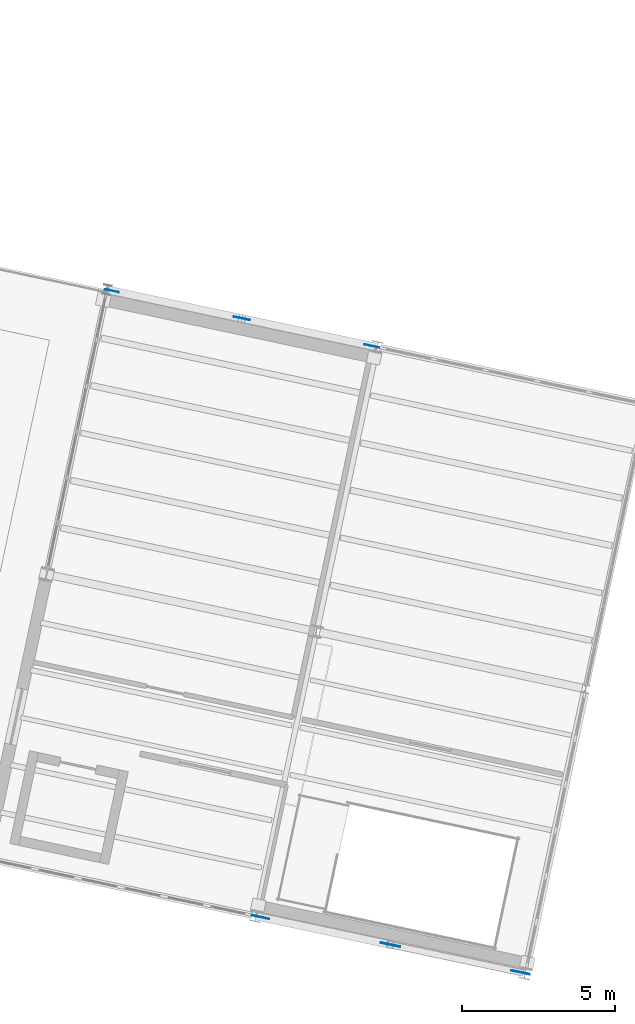
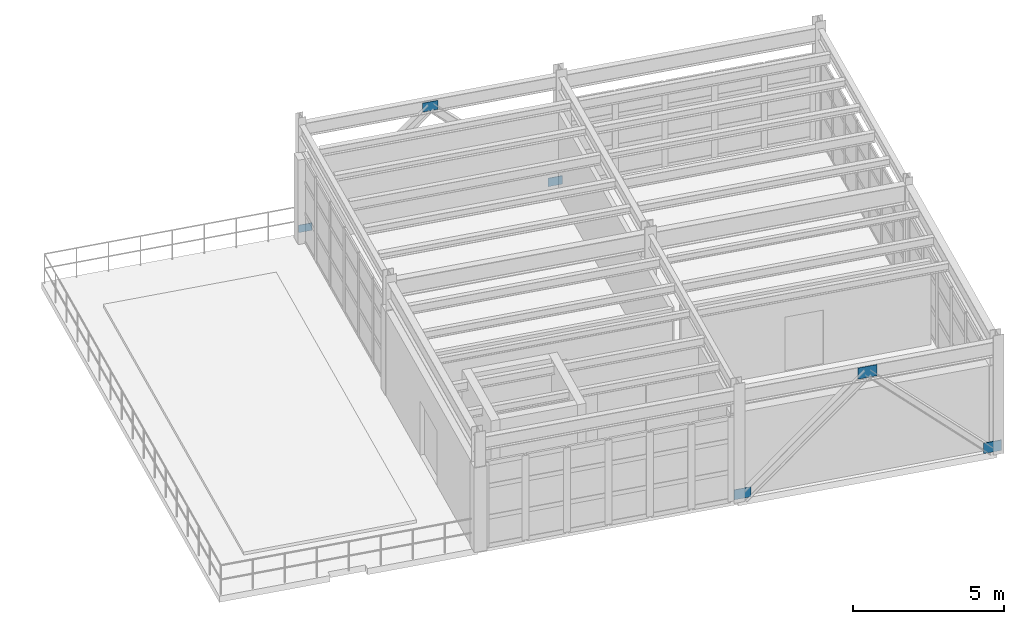
# One storey, part 87 of 109: 6 plates.
"""IFC4 building model written with IfcOpenShell, lengths in metres."""

import ifcopenshell
import ifcopenshell.guid

model = None  # the IFC model being written
_history = None  # IfcOwnerHistory: only IFC2X3 demands one
_inside = {}  # id of a spatial element -> (the spatial element, [elements in it])
_under = {}  # id of a project, library or spatial element -> (it, [spatial elements below it])
_declared = {}  # id of a project -> (the project, [libraries it declares])
_typed = {}  # id of a type object -> (the type object, [elements of that type])
_made_of = {}  # id of a material, layer set ... -> (it, [elements and type objects made of it])


def new_model(schema):
    """Start an empty IFC model of exactly this schema.

    Asked for "IFC4X3", IfcOpenShell would pick the latest addendum, in which some entities
    have other attributes; the version numbers below select the first issue.
    IFC2X3 requires an IfcOwnerHistory on every rooted entity: one is made here for all.
    """
    global model, _history
    if schema == "IFC4X3":
        model = ifcopenshell.file(schema_version=(4, 3, 0, 0))
    else:
        model = ifcopenshell.file(schema=schema)
    _inside.clear()
    _under.clear()
    _declared.clear()
    _typed.clear()
    _made_of.clear()
    _history = None
    if model.schema == "IFC2X3":
        org = make("IfcOrganization", Name="unknown")
        user = make(
            "IfcPersonAndOrganization",
            ThePerson=make("IfcPerson", FamilyName="unknown"),
            TheOrganization=org,
        )
        app = make(
            "IfcApplication",
            ApplicationDeveloper=org,
            Version="unknown",
            ApplicationFullName="unknown",
            ApplicationIdentifier="unknown",
        )
        _history = make(
            "IfcOwnerHistory",
            OwningUser=user,
            OwningApplication=app,
            ChangeAction="ADDED",
            CreationDate=0,
        )
    return model


def make(cls, **values):
    """One entity of the class cls with the attributes given. An attribute that is None is left unset."""
    return model.create_entity(
        cls, **{name: value for name, value in values.items() if value is not None}
    )


def rooted(cls, **values):
    """An entity with a GlobalId (a new one), such as an element, a storey or a relation."""
    return make(cls, GlobalId=ifcopenshell.guid.new(), OwnerHistory=_history, **values)


def si_unit(unit_type, name, prefix=None):
    """IfcSIUnit, for example si_unit("LENGTHUNIT", "METRE", prefix="MILLI")."""
    return make("IfcSIUnit", UnitType=unit_type, Prefix=prefix, Name=name)


def assignment(units):
    """IfcUnitAssignment: the units of a project."""
    return None if units is None else make("IfcUnitAssignment", Units=units)


def point(xyz):
    """IfcCartesianPoint."""
    return None if xyz is None else make("IfcCartesianPoint", Coordinates=xyz)


def direction(xyz):
    """IfcDirection."""
    return None if xyz is None else make("IfcDirection", DirectionRatios=xyz)


def frame(location, z_axis=None, x_axis=None):
    """IfcAxis2Placement3D, a coordinate frame: its origin and axes. An axis left out is left unset."""
    return make(
        "IfcAxis2Placement3D",
        Location=point(location),
        Axis=direction(z_axis),
        RefDirection=direction(x_axis),
    )


def frame_2d(location, x_axis=None):
    """IfcAxis2Placement2D, a coordinate frame in the plane: its origin and x axis."""
    return make(
        "IfcAxis2Placement2D", Location=point(location), RefDirection=direction(x_axis)
    )


def origin():
    """The frame at (0, 0, 0) with its axes left unset."""
    return frame((0.0, 0.0, 0.0))


def origin_2d():
    """The frame at (0, 0) in the plane with its x axis left unset."""
    return frame_2d((0.0, 0.0))


def place(relative_to, where):
    """IfcLocalPlacement: puts the frame where relative to a parent placement (None: the world)."""
    return make(
        "IfcLocalPlacement", PlacementRelTo=relative_to, RelativePlacement=where
    )


def context(
    kind, dimensions, precision=None, world=None, true_north=None, identifier=None
):
    """IfcGeometricRepresentationContext, for example the 3D "Model" context."""
    return make(
        "IfcGeometricRepresentationContext",
        ContextIdentifier=identifier,
        ContextType=kind,
        CoordinateSpaceDimension=dimensions,
        Precision=precision,
        WorldCoordinateSystem=world,
        TrueNorth=true_north,
    )


def subcontext(parent, identifier, kind, view, scale=None):
    """IfcGeometricRepresentationSubContext, for example "Body" below "Model"."""
    return make(
        "IfcGeometricRepresentationSubContext",
        ContextIdentifier=identifier,
        ContextType=kind,
        ParentContext=parent,
        TargetScale=scale,
        TargetView=view,
    )


def project(units=None, contexts=None):
    """IfcProject with its units and contexts."""
    return rooted(
        "IfcProject",
        Name="project",
        RepresentationContexts=contexts,
        UnitsInContext=assignment(units),
    )


def spatial(cls, under=None, at=None, **own):
    """A site, building, storey or space (cls), placed at a placement, below another one or the project."""
    s = rooted(cls, ObjectPlacement=at, **own)
    if under is not None:
        _under.setdefault(under.id(), (under, []))[1].append(s)
    return s


def profile(cls, at=None, kind="AREA", **sizes):
    """A parametric profile (cls). Its sizes go by their IFC names, for example OverallWidth=200.0."""
    return make(cls, ProfileType=kind, Position=at, **sizes)


def rectangle(**sizes):
    """IfcRectangleProfileDef."""
    return profile("IfcRectangleProfileDef", **sizes)


def extrude(swept, where, along, depth):
    """IfcExtrudedAreaSolid: the profile swept, set in the frame where, extruded along a direction by depth."""
    return make(
        "IfcExtrudedAreaSolid",
        SweptArea=swept,
        Position=where,
        ExtrudedDirection=direction(along),
        Depth=depth,
    )


def shape(context_of_items, identifier, shape_type, items):
    """IfcShapeRepresentation: the items that make up one representation, for example the "Body"."""
    return make(
        "IfcShapeRepresentation",
        ContextOfItems=context_of_items,
        RepresentationIdentifier=identifier,
        RepresentationType=shape_type,
        Items=items,
    )


def material(Name=None, Category=None):
    """IfcMaterial."""
    return make("IfcMaterial", Name=Name, Category=Category)


def layer(
    of_material, thickness, ventilated=None, Name=None, Category=None, Priority=None
):
    """IfcMaterialLayer: one layer of a wall or slab, of a material (None: an air gap)."""
    return make(
        "IfcMaterialLayer",
        Material=of_material,
        LayerThickness=thickness,
        IsVentilated=ventilated,
        Name=Name,
        Category=Category,
        Priority=Priority,
    )


def layer_set(layers, Name=None):
    """IfcMaterialLayerSet."""
    return make("IfcMaterialLayerSet", MaterialLayers=layers, LayerSetName=Name)


def made_of(thing, what):
    """Note that an element or type object is made of a material, layer set ...; save() writes the relation."""
    if what is not None:
        _made_of.setdefault(what.id(), (what, []))[1].append(thing)
    return thing


def type_object(cls, material=None, **own):
    """A type object (cls), such as IfcWallType, which elements share."""
    return made_of(rooted(cls, **own), material)


def element(
    cls,
    number,
    at=None,
    inside=None,
    cuts=None,
    type_object=None,
    material=None,
    context=None,
    identifier="Body",
    shape_type=None,
    held_by="IfcProductDefinitionShape",
    body=None,
    shapes=None,
    **own,
):
    """One element of the class cls, such as IfcWall. Its Tag is "e" and its number.

    at: its placement. inside: the storey or other place that contains it. cuts: it is an
    opening in that element (IfcRelVoidsElement). A single representation is given by context,
    identifier, shape_type and body (its items); several are given by shapes. held_by: the class
    of the entity that holds the representations. save() writes the other relations.
    """
    e = rooted(cls, Tag="e%d" % number, ObjectPlacement=at, **own)
    if body is not None:
        shapes = [shape(context, identifier, shape_type, body)]
    if shapes is not None:
        e.Representation = make(held_by, Representations=shapes)
    if inside is not None:
        _inside.setdefault(inside.id(), (inside, []))[1].append(e)
    if cuts is not None:
        rooted(
            "IfcRelVoidsElement", RelatingBuildingElement=cuts, RelatedOpeningElement=e
        )
    if type_object is not None:
        _typed.setdefault(type_object.id(), (type_object, []))[1].append(e)
    return made_of(e, material)


def aggregate(whole, parts):
    """IfcRelAggregates: a whole, such as a stair, and the parts it consists of."""
    return rooted("IfcRelAggregates", RelatingObject=whole, RelatedObjects=parts)


def save(model, path):
    """Write the relations noted so far, then the file.

    IfcRelAggregates (storeys below a building ...), IfcRelContainedInSpatialStructure (elements
    in a storey), IfcRelDefinesByType, IfcRelAssociatesMaterial and IfcRelDeclares: one each for
    every whole, place, type object, material and project.
    """
    for whole, parts in _under.values():
        aggregate(whole, parts)
    for where, things in _inside.values():
        rooted(
            "IfcRelContainedInSpatialStructure",
            RelatedElements=things,
            RelatingStructure=where,
        )
    for kind, things in _typed.values():
        rooted("IfcRelDefinesByType", RelatedObjects=things, RelatingType=kind)
    for what, things in _made_of.values():
        rooted("IfcRelAssociatesMaterial", RelatedObjects=things, RelatingMaterial=what)
    for by, libraries in _declared.values():
        rooted("IfcRelDeclares", RelatingContext=by, RelatedDefinitions=libraries)
    model.write(path)


model = new_model("IFC4")

# Units and contexts
model_context = context("Model", 3, precision=1e-05, world=origin(), true_north=direction((0.0, 1.0)))
body_context = subcontext(model_context, "Body", "Model", "MODEL_VIEW")
ifc_project = project(units=[si_unit("LENGTHUNIT", "METRE"), si_unit("AREAUNIT", "SQUARE_METRE"), si_unit("VOLUMEUNIT", "CUBIC_METRE"), si_unit("PLANEANGLEUNIT", "RADIAN"), si_unit("MASSUNIT", "GRAM", prefix="KILO")], contexts=[model_context])

# Site, building, storey
site_placement = place(None, origin())
site = spatial("IfcSite", under=ifc_project, at=site_placement, CompositionType="ELEMENT")
building_placement = place(site_placement, origin())
building = spatial("IfcBuilding", under=site, at=building_placement, Name="Vireo Bluff Cable Station", CompositionType="ELEMENT")
storey_placement = place(building_placement, frame((0.0, 0.0, 4.800048828125)))
storey = spatial("IfcBuildingStorey", under=building, at=storey_placement, Name="L01", CompositionType="ELEMENT", Elevation=4.800048828125)

# Plates
ifc_material = material(Name="Steel ASTM A572 Gr. 50", Category="steel")
ifc_layer_1 = layer(ifc_material, 0.01806640625, Name="Steel ASTM A572 Gr. 50")
ifc_layer_set_1 = layer_set([ifc_layer_1], Name="Steel ASTM A572 Gr. 50")
plate_type_1 = type_object("IfcPlateType", Name="GUSSET-460X300X18", PredefinedType="USERDEFINED", material=ifc_layer_set_1)
plate_1_placement = place(storey_placement, frame((142.91015625, 26.680419921875, 0.06982421875), z_axis=(0.0, 0.0, 1.0), x_axis=(0.978147600734, -0.207911690818, 0.0)))
element("IfcPlate", 1, at=plate_1_placement, inside=storey, type_object=plate_type_1, Name="V5E L01 brace base gusset plate 281", ObjectType="GUSSET PLATE", PredefinedType="USERDEFINED", context=body_context, shape_type="SweptSolid", body=[
    extrude(rectangle(XDim=0.4599609375, YDim=0.01806640625, at=origin_2d()), origin(), (0.0, 0.0, 1.0), 0.300048828125),
])
ifc_layer_2 = layer(ifc_material, 0.02001953125, Name="Steel ASTM A572 Gr. 50")
ifc_layer_set_2 = layer_set([ifc_layer_2], Name="Steel ASTM A572 Gr. 50")
plate_type_2 = type_object("IfcPlateType", Name="GUSSET-500X340X20", PredefinedType="USERDEFINED", material=ifc_layer_set_2)
plate_2_placement = place(storey_placement, frame((151.400390625, 24.875732421875, 0.0498046875), z_axis=(0.0, 0.0, 1.0), x_axis=(0.978147600734, -0.207911690818, 0.0)))
element("IfcPlate", 2, at=plate_2_placement, inside=storey, type_object=plate_type_2, Name="V5E L01 brace base gusset plate 282", ObjectType="GUSSET PLATE", PredefinedType="USERDEFINED", context=body_context, shape_type="SweptSolid", body=[
    extrude(rectangle(XDim=0.5, YDim=0.02001953125, at=origin_2d()), origin(), (0.0, 0.0, 1.0), 0.340087890625),
])
ifc_layer_3 = layer(ifc_material, 0.02197265625, Name="Steel ASTM A572 Gr. 50")
ifc_layer_set_3 = layer_set([ifc_layer_3], Name="Steel ASTM A572 Gr. 50")
plate_type_3 = type_object("IfcPlateType", Name="GUSSET-540X360X22", PredefinedType="USERDEFINED", material=ifc_layer_set_3)
plate_3_placement = place(storey_placement, frame((147.1552734375, 25.778076171875, 4.0), z_axis=(0.0, 0.0, 1.0), x_axis=(0.978147600734, -0.207911690818, 0.0)))
element("IfcPlate", 3, at=plate_3_placement, inside=storey, type_object=plate_type_3, Name="V5E L01 chevron gusset plate 283", ObjectType="GUSSET PLATE", PredefinedType="USERDEFINED", context=body_context, shape_type="SweptSolid", body=[
    extrude(rectangle(XDim=0.5400390625, YDim=0.02197265625, at=origin_2d()), origin(), (0.0, 0.0, 1.0), 0.360107421875),
])
ifc_layer_4 = layer(ifc_material, 0.02392578125, Name="Steel ASTM A572 Gr. 50")
ifc_layer_set_4 = layer_set([ifc_layer_4], Name="Steel ASTM A572 Gr. 50")
plate_type_4 = type_object("IfcPlateType", Name="GUSSET-580X400X24", PredefinedType="USERDEFINED", material=ifc_layer_set_4)
plate_4_placement = place(storey_placement, frame((147.76318359375, 6.224365234375, 0.02001953125), z_axis=(0.0, 0.0, 1.0), x_axis=(0.978147600734, -0.207911690818, 0.0)))
element("IfcPlate", 4, at=plate_4_placement, inside=storey, type_object=plate_type_4, Name="V5E L01 brace base gusset plate 284", ObjectType="GUSSET PLATE", PredefinedType="USERDEFINED", context=body_context, shape_type="SweptSolid", body=[
    extrude(rectangle(XDim=0.580078125, YDim=0.02392578125, at=origin_2d()), origin(), (0.0, 0.0, 1.0), 0.39990234375),
])
ifc_layer_5 = layer(ifc_material, 0.02490234375, Name="Steel ASTM A572 Gr. 50")
ifc_layer_set_5 = layer_set([ifc_layer_5], Name="Steel ASTM A572 Gr. 50")
plate_type_5 = type_object("IfcPlateType", Name="GUSSET-620X420X25", PredefinedType="USERDEFINED", material=ifc_layer_set_5)
plate_5_placement = place(storey_placement, frame((156.25341796875, 4.419677734375, 0.010009765625), z_axis=(0.0, 0.0, 1.0), x_axis=(0.978147600734, -0.207911690818, 0.0)))
element("IfcPlate", 5, at=plate_5_placement, inside=storey, type_object=plate_type_5, Name="V5E L01 brace base gusset plate 285", ObjectType="GUSSET PLATE", PredefinedType="USERDEFINED", context=body_context, shape_type="SweptSolid", body=[
    extrude(rectangle(XDim=0.6201171875, YDim=0.02490234375, at=origin_2d()), origin(), (0.0, 0.0, 1.0), 0.419921875),
])
ifc_layer_6 = layer(ifc_material, 0.028076171875, Name="Steel ASTM A572 Gr. 50")
ifc_layer_set_6 = layer_set([ifc_layer_6], Name="Steel ASTM A572 Gr. 50")
plate_type_6 = type_object("IfcPlateType", Name="GUSSET-660X450X28", PredefinedType="USERDEFINED", material=ifc_layer_set_6)
plate_6_placement = place(storey_placement, frame((152.00830078125, 5.322021484375, 3.955078125), z_axis=(0.0, 0.0, 1.0), x_axis=(0.978147600734, -0.207911690818, 0.0)))
element("IfcPlate", 6, at=plate_6_placement, inside=storey, type_object=plate_type_6, Name="V5E L01 chevron gusset plate 286", ObjectType="GUSSET PLATE", PredefinedType="USERDEFINED", context=body_context, shape_type="SweptSolid", body=[
    extrude(rectangle(XDim=0.659912109375, YDim=0.028076171875, at=origin_2d()), origin(), (0.0, 0.0, 1.0), 0.449951171875),
])

save(model, "model.ifc")
